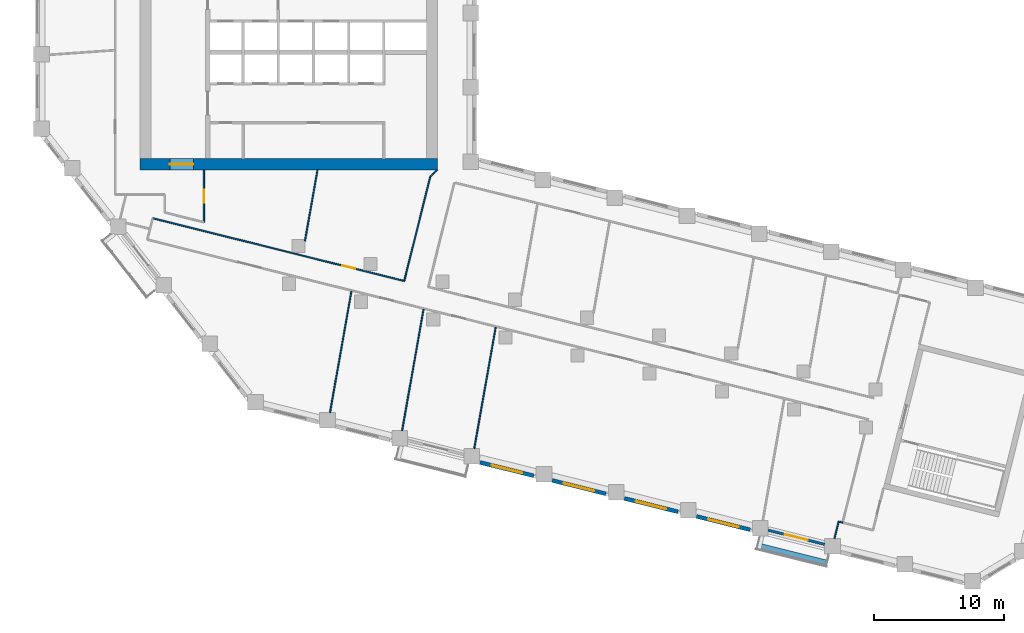
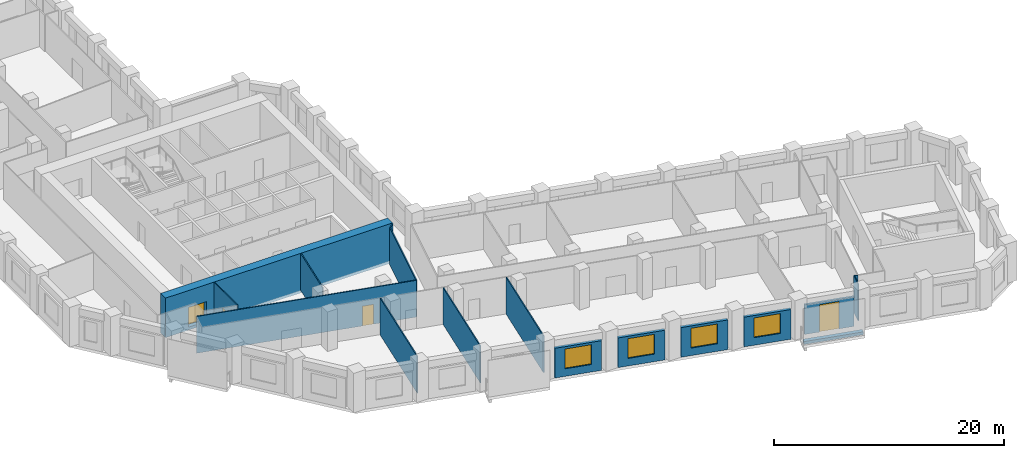
# One storey, part 3 of 10: 17 walls, 4 doors, 4 windows, 8 openings.
"""IFC4 building model written with IfcOpenShell, lengths in metres."""

from ifc_helpers import new_model, si_unit, direction, frame, frame_2d, origin, place, context, subcontext, project, spatial, rectangle, extrude, material, layer, layer_set, type_object, element, fill, save


model = new_model("IFC4")

# Units and contexts
model_context = context("Model", 3, precision=1e-05, world=origin(), true_north=direction((0.0, 1.0)))
body_context = subcontext(model_context, "Body", "Model", "MODEL_VIEW")
ifc_project = project(units=[si_unit("LENGTHUNIT", "METRE"), si_unit("AREAUNIT", "SQUARE_METRE"), si_unit("VOLUMEUNIT", "CUBIC_METRE"), si_unit("PLANEANGLEUNIT", "RADIAN"), si_unit("MASSUNIT", "GRAM", prefix="KILO")], contexts=[model_context])

# Site, building, storey
site_placement = place(None, origin())
site = spatial("IfcSite", under=ifc_project, at=site_placement, CompositionType="ELEMENT")
building_placement = place(site_placement, origin())
building = spatial("IfcBuilding", under=site, at=building_placement, Name="Meshkara Civic Tower", CompositionType="ELEMENT")
storey_placement = place(building_placement, frame((0.0, 0.0, 203.39990234375)))
storey = spatial("IfcBuildingStorey", under=building, at=storey_placement, Name="L46", CompositionType="ELEMENT", Elevation=203.39990234375)

# Wall, opening, door
ifc_material_1 = material(Name="Concrete C70", Category="concrete")
ifc_layer_1 = layer(ifc_material_1, 0.85009765625)
ifc_layer_set_1 = layer_set([ifc_layer_1], Name="Core ring wall 850 C70")
wall_type_1 = type_object("IfcWallType", Name="Core ring wall 850 C70", PredefinedType="SHEAR", material=ifc_layer_set_1)
wall_1_placement = place(storey_placement, frame((8.0, 14.52490234375, -0.2998046875), z_axis=(0.0, 0.0, 1.0), x_axis=(1.0, 0.0, 0.0)))
wall_1 = element("IfcWall", 1, at=wall_1_placement, inside=storey, type_object=wall_type_1, Name="L46-C001", PredefinedType="SHEAR", context=body_context, shape_type="SweptSolid", body=[
    extrude(rectangle(XDim=22.800048828125, YDim=0.85009765625, at=frame_2d((11.39990234375, 0.0))), origin(), (0.0, 0.0, 1.0), 4.199951171875),
])
opening_1_placement = place(wall_1_placement, frame((2.300048828125, 0.0, 0.300048828125)))
opening_1 = element("IfcOpeningElement", 2, at=opening_1_placement, cuts=wall_1, Name="Opening L46-K021", PredefinedType="OPENING", context=body_context, shape_type="SweptSolid", body=[
    extrude(rectangle(XDim=1.800048828125, YDim=2.10009765625, at=frame_2d((0.89990234375, 1.050048828125))), frame((0.0, 0.43505859375, 0.0), z_axis=(0.0, -1.0, 0.0), x_axis=(1.0, 0.0, 0.0)), (0.0, 0.0, 1.0), 0.8701171875),
])
ifc_material_2 = material(Name="Fire-rated door leaf in steel frame", Category="steel")
door_type_1 = type_object("IfcDoorType", Name="Core double door 1800 EI 60", OperationType="DOUBLE_DOOR_SINGLE_SWING", PredefinedType="DOOR", material=ifc_material_2)
door_1_placement = place(opening_1_placement, origin())
door_1 = element("IfcDoor", 3, at=door_1_placement, inside=storey, type_object=door_type_1, Name="L46-K021", OperationType="DOUBLE_DOOR_SINGLE_SWING", OverallHeight=2.10009765625, OverallWidth=1.800048828125, PredefinedType="DOOR", context=body_context, shape_type="SweptSolid", body=[
    extrude(rectangle(XDim=1.800048828125, YDim=2.10009765625, at=frame_2d((0.89990234375, 1.050048828125))), frame((0.0, 0.02490234375, 0.0), z_axis=(0.0, -1.0, 0.0), x_axis=(1.0, 0.0, 0.0)), (0.0, 0.0, 1.0), 0.050048828125),
])
fill(opening_1, door_1)

ifc_material_3 = material(Name="Corridor wall 100")
ifc_layer_2 = layer(ifc_material_3, 0.10009765625)
ifc_layer_set_2 = layer_set([ifc_layer_2], Name="Corridor wall 100")
wall_type_2 = type_object("IfcWallType", Name="Corridor wall 100", PredefinedType="PARTITIONING", material=ifc_layer_set_2)
wall_2_placement = place(storey_placement, frame((8.972900390625, 10.382080078125, 0.0), z_axis=(0.0, 0.0, 1.0), x_axis=(0.970286808807, -0.241957658808, 0.0)))
wall_2 = element("IfcWall", 4, at=wall_2_placement, inside=storey, type_object=wall_type_2, Name="L46-W007", PredefinedType="PARTITIONING", context=body_context, shape_type="SweptSolid", body=[
    extrude(rectangle(XDim=19.879638671875, YDim=0.10009765625, at=frame_2d((9.93994140625, 0.0))), origin(), (0.0, 0.0, 1.0), 3.900146484375),
])
opening_2_placement = place(wall_2_placement, frame((15.006103515625, 0.0, 0.0)))
opening_2 = element("IfcOpeningElement", 5, at=opening_2_placement, cuts=wall_2, Name="Opening L46-D013", PredefinedType="OPENING", context=body_context, shape_type="SweptSolid", body=[
    extrude(rectangle(XDim=1.0, YDim=2.10009765625, at=frame_2d((0.5, 1.050048828125))), frame((0.0, 0.06005859375, 0.0), z_axis=(0.0, -1.0, 0.0), x_axis=(1.0, 0.0, 0.0)), (0.0, 0.0, 1.0), 0.1201171875),
])
ifc_material_4 = material(Name="Door 1000 x 2100")
door_type_2 = type_object("IfcDoorType", Name="Door 1000 x 2100", OperationType="SINGLE_SWING_LEFT", PredefinedType="DOOR", material=ifc_material_4)
door_2_placement = place(opening_2_placement, origin())
door_2 = element("IfcDoor", 6, at=door_2_placement, inside=storey, type_object=door_type_2, Name="L46-D013", OperationType="SINGLE_SWING_LEFT", OverallHeight=2.10009765625, OverallWidth=1.0, PredefinedType="DOOR", context=body_context, shape_type="SweptSolid", body=[
    extrude(rectangle(XDim=1.0, YDim=2.10009765625, at=frame_2d((0.5, 1.050048828125))), frame((0.0, 0.02490234375, 0.0), z_axis=(0.0, -1.0, 0.0), x_axis=(1.0, 0.0, 0.0)), (0.0, 0.0, 1.0), 0.050048828125),
])
fill(opening_2, door_2)

wall_3_placement = place(storey_placement, frame((12.89990234375, 10.077880859375, 0.0), z_axis=(0.0, 0.0, 1.0), x_axis=(0.0, 1.0, 0.0)))
wall_3 = element("IfcWall", 7, at=wall_3_placement, inside=storey, type_object=wall_type_2, Name="L46-W014", PredefinedType="PARTITIONING", context=body_context, shape_type="SweptSolid", body=[
    extrude(rectangle(XDim=4.022216796875, YDim=0.10009765625, at=frame_2d((2.01123046875, 0.0))), origin(), (0.0, 0.0, 1.0), 3.900146484375),
])
opening_3_placement = place(wall_3_placement, frame((1.47998046875, 0.0, 0.0)))
opening_3 = element("IfcOpeningElement", 8, at=opening_3_placement, cuts=wall_3, Name="Opening L46-D016", PredefinedType="OPENING", context=body_context, shape_type="SweptSolid", body=[
    extrude(rectangle(XDim=1.0, YDim=2.10009765625, at=frame_2d((0.5, 1.050048828125))), frame((0.0, 0.06005859375, 0.0), z_axis=(0.0, -1.0, 0.0), x_axis=(1.0, 0.0, 0.0)), (0.0, 0.0, 1.0), 0.1201171875),
])
door_3_placement = place(opening_3_placement, origin())
door_3 = element("IfcDoor", 9, at=door_3_placement, inside=storey, type_object=door_type_2, Name="L46-D016", OperationType="SINGLE_SWING_RIGHT", OverallHeight=2.10009765625, OverallWidth=1.0, PredefinedType="DOOR", context=body_context, shape_type="SweptSolid", body=[
    extrude(rectangle(XDim=1.0, YDim=2.10009765625, at=frame_2d((0.5, 1.050048828125))), frame((0.0, 0.02490234375, 0.0), z_axis=(0.0, -1.0, 0.0), x_axis=(1.0, 0.0, 0.0)), (0.0, 0.0, 1.0), 0.050048828125),
])
fill(opening_3, door_3)

# Walls
wall_4_placement = place(storey_placement, frame((30.259033203125, 13.5830078125, 0.0), z_axis=(0.0, 0.0, 1.0), x_axis=(-0.241888494143, -0.970304053584, 0.0)))
element("IfcWall", 10, at=wall_4_placement, inside=storey, type_object=wall_type_2, Name="L46-W024", PredefinedType="PARTITIONING", context=body_context, shape_type="SweptSolid", body=[
    extrude(rectangle(XDim=8.256103515625, YDim=0.10009765625, at=frame_2d((4.1279296875, 0.0))), origin(), (0.0, 0.0, 1.0), 3.900146484375),
])
wall_5_placement = place(storey_placement, frame((30.800048828125, 14.10009765625, 0.0), z_axis=(0.0, 0.0, 1.0), x_axis=(-0.722911025189, -0.690941133281, 0.0)))
element("IfcWall", 11, at=wall_5_placement, inside=storey, type_object=wall_type_2, Name="L46-W025", PredefinedType="PARTITIONING", context=body_context, shape_type="SweptSolid", body=[
    extrude(rectangle(XDim=0.748291015625, YDim=0.10009765625, at=frame_2d((0.3740234375, 0.0))), origin(), (0.0, 0.0, 1.0), 3.900146484375),
])

# Wall, opening, window
ifc_material_5 = material(Name="Insulated infill panel with bronze anodised aluminium cladding", Category="aluminium")
ifc_layer_3 = layer(ifc_material_5, 0.300048828125)
ifc_layer_set_3 = layer_set([ifc_layer_3], Name="EXTERNAL INFILL WALL 300")
wall_type_3 = type_object("IfcWallType", Name="EXTERNAL INFILL WALL 300", PredefinedType="SOLIDWALL", material=ifc_layer_set_3)
wall_6_placement = place(storey_placement, frame((34.075927734375, -8.342041015625, 0.0), z_axis=(0.0, 0.0, 1.0), x_axis=(0.970318118028, -0.241832069473, 0.0)))
wall_6 = element("IfcWall", 12, at=wall_6_placement, inside=storey, type_object=wall_type_3, Name="External wall", PredefinedType="SOLIDWALL", context=body_context, shape_type="SweptSolid", body=[
    extrude(rectangle(XDim=4.24609375, YDim=0.300048828125, at=frame_2d((2.123046875, 0.0))), origin(), (0.0, 0.0, 1.0), 3.150146484375),
])
opening_4_placement = place(wall_6_placement, frame((0.923095703125, 0.0, 0.800048828125)))
opening_4 = element("IfcOpeningElement", 13, at=opening_4_placement, cuts=wall_6, Name="Opening W7", PredefinedType="OPENING", context=body_context, shape_type="SweptSolid", body=[
    extrude(rectangle(XDim=2.39990234375, YDim=2.10009765625, at=frame_2d((1.199951171875, 1.050048828125))), frame((0.0, 0.159912109375, 0.0), z_axis=(0.0, -1.0, 0.0), x_axis=(1.0, 0.0, 0.0)), (0.0, 0.0, 1.0), 0.320068359375),
])
ifc_material_6 = material(Name="Tinted double glazing", Category="glass")
window_type = type_object("IfcWindowType", Name="WINDOW 2400x2100", PartitioningType="DOUBLE_PANEL_VERTICAL", PredefinedType="WINDOW", material=ifc_material_6)
window_1_placement = place(opening_4_placement, origin())
window_1 = element("IfcWindow", 14, at=window_1_placement, inside=storey, type_object=window_type, Name="Window", OverallHeight=2.10009765625, OverallWidth=2.39990234375, PartitioningType="DOUBLE_PANEL_VERTICAL", PredefinedType="WINDOW", context=body_context, shape_type="SweptSolid", body=[
    extrude(rectangle(XDim=2.39990234375, YDim=2.10009765625, at=frame_2d((1.199951171875, 1.050048828125))), frame((0.0, 0.030029296875, 0.0), z_axis=(0.0, -1.0, 0.0), x_axis=(1.0, 0.0, 0.0)), (0.0, 0.0, 1.0), 0.06005859375),
])
fill(opening_4, window_1)

wall_7_placement = place(storey_placement, frame((39.60693359375, -9.719970703125, 0.0), z_axis=(0.0, 0.0, 1.0), x_axis=(0.970250625545, -0.242102712975, 0.0)))
wall_7 = element("IfcWall", 15, at=wall_7_placement, inside=storey, type_object=wall_type_3, Name="External wall", PredefinedType="SOLIDWALL", context=body_context, shape_type="SweptSolid", body=[
    extrude(rectangle(XDim=4.246337890625, YDim=0.300048828125, at=frame_2d((2.123046875, 0.0))), origin(), (0.0, 0.0, 1.0), 3.150146484375),
])
opening_5_placement = place(wall_7_placement, frame((0.923095703125, 0.0, 0.800048828125)))
opening_5 = element("IfcOpeningElement", 16, at=opening_5_placement, cuts=wall_7, Name="Opening W7", PredefinedType="OPENING", context=body_context, shape_type="SweptSolid", body=[
    extrude(rectangle(XDim=2.39990234375, YDim=2.10009765625, at=frame_2d((1.199951171875, 1.050048828125))), frame((0.0, 0.159912109375, 0.0), z_axis=(0.0, -1.0, 0.0), x_axis=(1.0, 0.0, 0.0)), (0.0, 0.0, 1.0), 0.320068359375),
])
window_2_placement = place(opening_5_placement, origin())
window_2 = element("IfcWindow", 17, at=window_2_placement, inside=storey, type_object=window_type, Name="Window", OverallHeight=2.10009765625, OverallWidth=2.39990234375, PartitioningType="DOUBLE_PANEL_VERTICAL", PredefinedType="WINDOW", context=body_context, shape_type="SweptSolid", body=[
    extrude(rectangle(XDim=2.39990234375, YDim=2.10009765625, at=frame_2d((1.199951171875, 1.050048828125))), frame((0.0, 0.030029296875, 0.0), z_axis=(0.0, -1.0, 0.0), x_axis=(1.0, 0.0, 0.0)), (0.0, 0.0, 1.0), 0.06005859375),
])
fill(opening_5, window_2)

wall_8_placement = place(storey_placement, frame((45.137939453125, -11.09912109375, 0.0), z_axis=(0.0, 0.0, 1.0), x_axis=(0.970304663212, -0.241886048688, 0.0)))
wall_8 = element("IfcWall", 18, at=wall_8_placement, inside=storey, type_object=wall_type_3, Name="External wall", PredefinedType="SOLIDWALL", context=body_context, shape_type="SweptSolid", body=[
    extrude(rectangle(XDim=4.2451171875, YDim=0.300048828125, at=frame_2d((2.12255859375, 0.0))), origin(), (0.0, 0.0, 1.0), 3.150146484375),
])
opening_6_placement = place(wall_8_placement, frame((0.922119140625, 0.0, 0.800048828125)))
opening_6 = element("IfcOpeningElement", 19, at=opening_6_placement, cuts=wall_8, Name="Opening W7", PredefinedType="OPENING", context=body_context, shape_type="SweptSolid", body=[
    extrude(rectangle(XDim=2.39990234375, YDim=2.10009765625, at=frame_2d((1.199951171875, 1.050048828125))), frame((0.0, 0.159912109375, 0.0), z_axis=(0.0, -1.0, 0.0), x_axis=(1.0, 0.0, 0.0)), (0.0, 0.0, 1.0), 0.320068359375),
])
window_3_placement = place(opening_6_placement, origin())
window_3 = element("IfcWindow", 20, at=window_3_placement, inside=storey, type_object=window_type, Name="Window", OverallHeight=2.10009765625, OverallWidth=2.39990234375, PartitioningType="DOUBLE_PANEL_VERTICAL", PredefinedType="WINDOW", context=body_context, shape_type="SweptSolid", body=[
    extrude(rectangle(XDim=2.39990234375, YDim=2.10009765625, at=frame_2d((1.199951171875, 1.050048828125))), frame((0.0, 0.030029296875, 0.0), z_axis=(0.0, -1.0, 0.0), x_axis=(1.0, 0.0, 0.0)), (0.0, 0.0, 1.0), 0.06005859375),
])
fill(opening_6, window_3)

wall_9_placement = place(storey_placement, frame((50.66796875, -12.47802734375, 0.0), z_axis=(0.0, 0.0, 1.0), x_axis=(0.970318118028, -0.241832069473, 0.0)))
wall_9 = element("IfcWall", 21, at=wall_9_placement, inside=storey, type_object=wall_type_3, Name="External wall", PredefinedType="SOLIDWALL", context=body_context, shape_type="SweptSolid", body=[
    extrude(rectangle(XDim=4.24609375, YDim=0.300048828125, at=frame_2d((2.123046875, 0.0))), origin(), (0.0, 0.0, 1.0), 3.150146484375),
])
opening_7_placement = place(wall_9_placement, frame((0.923095703125, 0.0, 0.800048828125)))
opening_7 = element("IfcOpeningElement", 22, at=opening_7_placement, cuts=wall_9, Name="Opening W7", PredefinedType="OPENING", context=body_context, shape_type="SweptSolid", body=[
    extrude(rectangle(XDim=2.39990234375, YDim=2.10009765625, at=frame_2d((1.199951171875, 1.050048828125))), frame((0.0, 0.159912109375, 0.0), z_axis=(0.0, -1.0, 0.0), x_axis=(1.0, 0.0, 0.0)), (0.0, 0.0, 1.0), 0.320068359375),
])
window_4_placement = place(opening_7_placement, origin())
window_4 = element("IfcWindow", 23, at=window_4_placement, inside=storey, type_object=window_type, Name="Window", OverallHeight=2.10009765625, OverallWidth=2.39990234375, PartitioningType="DOUBLE_PANEL_VERTICAL", PredefinedType="WINDOW", context=body_context, shape_type="SweptSolid", body=[
    extrude(rectangle(XDim=2.39990234375, YDim=2.10009765625, at=frame_2d((1.199951171875, 1.050048828125))), frame((0.0, 0.030029296875, 0.0), z_axis=(0.0, -1.0, 0.0), x_axis=(1.0, 0.0, 0.0)), (0.0, 0.0, 1.0), 0.06005859375),
])
fill(opening_7, window_4)

# Wall, opening, door
ifc_material_7 = material(Name="Insulated infill panel with bronze anodised aluminium cladding", Category="aluminium")
ifc_layer_4 = layer(ifc_material_7, 0.199951171875)
ifc_layer_set_4 = layer_set([ifc_layer_4], Name="LOGGIA BACK WALL 200")
wall_type_4 = type_object("IfcWallType", Name="LOGGIA BACK WALL 200", PredefinedType="SOLIDWALL", material=ifc_layer_set_4)
wall_10_placement = place(storey_placement, frame((56.166015625, -13.5400390625, 0.0), z_axis=(0.0, 0.0, 1.0), x_axis=(0.970348073531, -0.241711845374, 0.0)))
wall_10 = element("IfcWall", 24, at=wall_10_placement, inside=storey, type_object=wall_type_4, Name="Loggia wall", PredefinedType="SOLIDWALL", context=body_context, shape_type="SweptSolid", body=[
    extrude(rectangle(XDim=4.46337890625, YDim=0.199951171875, at=frame_2d((2.231689453125, 0.0))), origin(), (0.0, 0.0, 1.0), 3.150146484375),
])
opening_8_placement = place(wall_10_placement, frame((1.3310546875, 0.0, 0.0)))
opening_8 = element("IfcOpeningElement", 25, at=opening_8_placement, cuts=wall_10, Name="Opening L46-L005", PredefinedType="OPENING", context=body_context, shape_type="SweptSolid", body=[
    extrude(rectangle(XDim=1.800048828125, YDim=2.89990234375, at=frame_2d((0.89990234375, 1.449951171875))), frame((0.0, 0.10986328125, 0.0), z_axis=(0.0, -1.0, 0.0), x_axis=(1.0, 0.0, 0.0)), (0.0, 0.0, 1.0), 0.219970703125),
])
ifc_material_8 = material(Name="Tinted double glazing", Category="glass")
door_type_3 = type_object("IfcDoorType", Name="LOGGIA DOOR 1800x2900", OperationType="DOUBLE_DOOR_SINGLE_SWING", PredefinedType="DOOR", material=ifc_material_8)
door_4_placement = place(opening_8_placement, origin())
door_4 = element("IfcDoor", 26, at=door_4_placement, inside=storey, type_object=door_type_3, Name="L46-L005", OperationType="DOUBLE_DOOR_SINGLE_SWING", OverallHeight=2.89990234375, OverallWidth=1.800048828125, PredefinedType="DOOR", context=body_context, shape_type="SweptSolid", body=[
    extrude(rectangle(XDim=1.800048828125, YDim=2.89990234375, at=frame_2d((0.89990234375, 1.449951171875))), frame((0.0, 0.02490234375, 0.0), z_axis=(0.0, -1.0, 0.0), x_axis=(1.0, 0.0, 0.0)), (0.0, 0.0, 1.0), 0.050048828125),
])
fill(opening_8, door_4)

# Walls
ifc_material_9 = material(Name="Concrete C40", Category="concrete")
ifc_layer_5 = layer(ifc_material_9, 0.39990234375)
ifc_layer_set_5 = layer_set([ifc_layer_5], Name="PLANTER TRAY")
wall_type_5 = type_object("IfcWallType", Name="PLANTER TRAY", PredefinedType="SOLIDWALL", material=ifc_layer_set_5)
wall_11_placement = place(storey_placement, frame((55.408935546875, -14.721923828125, 0.0), z_axis=(0.0, 0.0, 1.0), x_axis=(0.970324412772, -0.241806811275, 0.0)))
element("IfcWall", 27, at=wall_11_placement, inside=storey, type_object=wall_type_5, Name="Planter", PredefinedType="SOLIDWALL", context=body_context, shape_type="SweptSolid", body=[
    extrude(rectangle(XDim=5.3603515625, YDim=0.39990234375, at=frame_2d((2.68017578125, 0.0))), origin(), (0.0, 0.0, 1.0), 0.300048828125),
])
ifc_material_10 = material(Name="Partition 100")
ifc_layer_6 = layer(ifc_material_10, 0.10009765625)
ifc_layer_set_6 = layer_set([ifc_layer_6], Name="Partition 100")
wall_type_6 = type_object("IfcWallType", Name="Partition 100", PredefinedType="PARTITIONING", material=ifc_layer_set_6)
wall_12_placement = place(storey_placement, frame((20.64892578125, 8.636962890625, 0.0), z_axis=(0.0, 0.0, 1.0), x_axis=(0.173619629197, 0.984812786451, 0.0)))
element("IfcWall", 28, at=wall_12_placement, inside=storey, type_object=wall_type_6, Name="L46-W043", PredefinedType="PARTITIONING", context=body_context, shape_type="SweptSolid", body=[
    extrude(rectangle(XDim=5.54736328125, YDim=0.10009765625, at=frame_2d((2.773681640625, 0.0))), origin(), (0.0, 0.0, 1.0), 3.900146484375),
])
wall_13_placement = place(storey_placement, frame((22.569091796875, -4.51708984375, 0.0), z_axis=(0.0, 0.0, 1.0), x_axis=(0.173660042162, 0.984805660908, 0.0)))
element("IfcWall", 29, at=wall_13_placement, inside=storey, type_object=wall_type_6, Name="L46-W044", PredefinedType="PARTITIONING", context=body_context, shape_type="SweptSolid", body=[
    extrude(rectangle(XDim=9.44873046875, YDim=0.10009765625, at=frame_2d((4.724365234375, 0.0))), origin(), (0.0, 0.0, 1.0), 3.900146484375),
])
for number, where, z_axis, x_axis, name in (
    (30, (28.10009765625, -5.89599609375, 0.0), (0.0, 0.0, 1.0), (0.173664461196, 0.984804881648, 0.0), "L46-W045"),
    (31, (33.631103515625, -7.27490234375, 0.0), (0.0, 0.0, 1.0), (0.173664461196, 0.984804881648, 0.0), "L46-W046"),
):
    element("IfcWall", number, at=place(storey_placement, frame(where, z_axis=z_axis, x_axis=x_axis)), inside=storey, type_object=wall_type_6, Name=name, PredefinedType="PARTITIONING", context=body_context, shape_type="SweptSolid", body=[
        extrude(rectangle(XDim=9.448486328125, YDim=0.10009765625, at=frame_2d((4.72412109375, 0.0))), origin(), (0.0, 0.0, 1.0), 3.900146484375),
    ])
wall_14_placement = place(storey_placement, frame((61.2470703125, -14.1689453125, 0.0), z_axis=(0.0, 0.0, 1.0), x_axis=(0.241845285879, 0.970314824012, 0.0)))
element("IfcWall", 32, at=wall_14_placement, inside=storey, type_object=wall_type_6, Name="L46-W052", PredefinedType="PARTITIONING", context=body_context, shape_type="SweptSolid", body=[
    extrude(rectangle(XDim=1.33154296875, YDim=0.10009765625, at=frame_2d((0.665771484375, 0.0))), origin(), (0.0, 0.0, 1.0), 3.900146484375),
])
wall_15_placement = place(storey_placement, frame((61.569091796875, -12.876953125, 0.0), z_axis=(0.0, 0.0, 1.0), x_axis=(0.970187597874, -0.242355162789, 0.0)))
element("IfcWall", 33, at=wall_15_placement, inside=storey, type_object=wall_type_6, Name="L46-W053", PredefinedType="PARTITIONING", context=body_context, shape_type="SweptSolid", body=[
    extrude(rectangle(XDim=0.318359375, YDim=0.10009765625, at=frame_2d((0.1591796875, 0.0))), origin(), (0.0, 0.0, 1.0), 3.900146484375),
])

save(model, "model.ifc")
